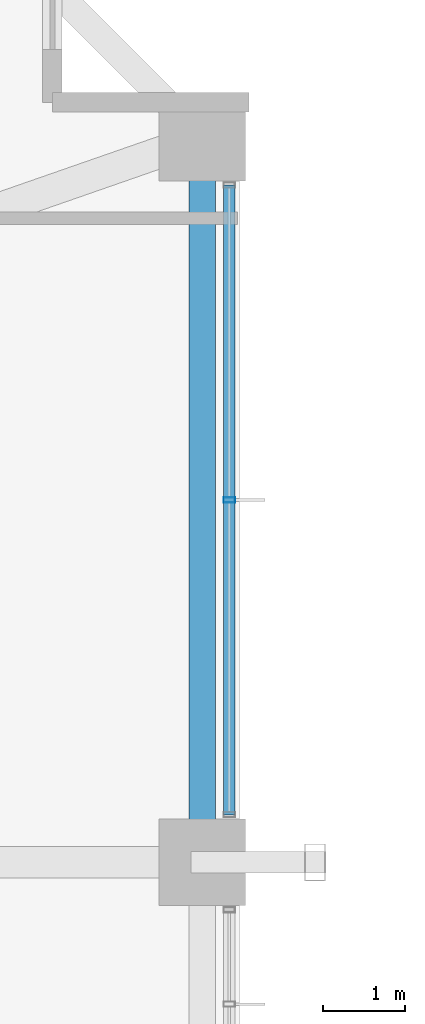
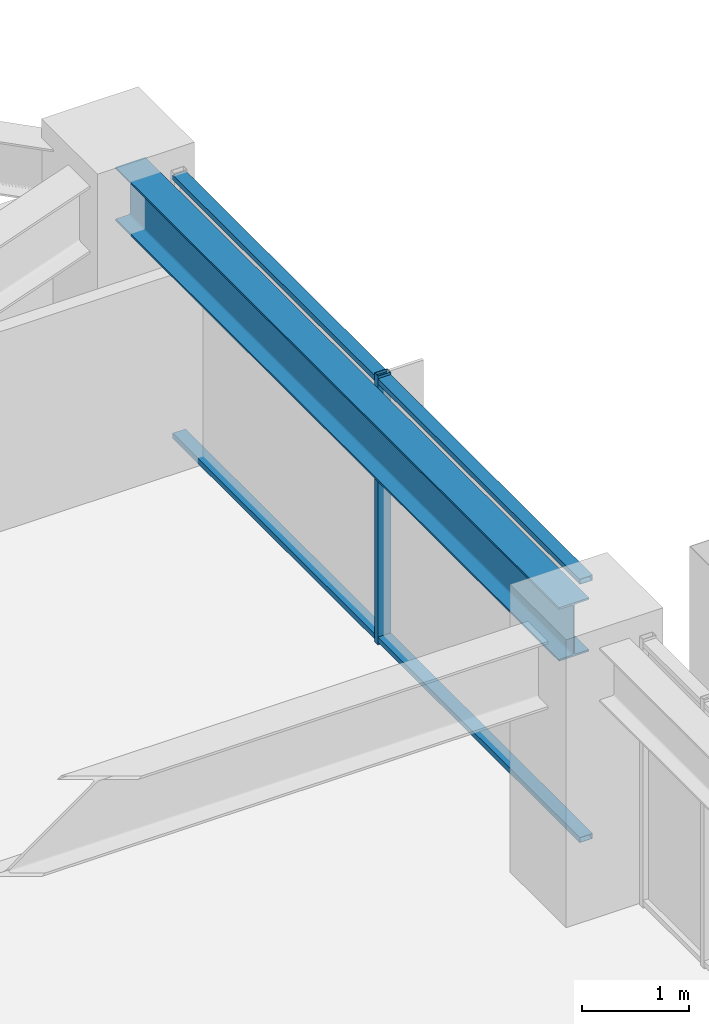
# One storey, part 17 of 37: 3 members, 1 beam, 1 element without a shape of its own.
"""IFC4 building model written with IfcOpenShell, lengths in metres."""

from ifc_helpers import new_model, si_unit, direction, frame, origin, origin_2d, place, context, subcontext, project, spatial, hollow_rectangle, i_section, extrude, material, material_profile, profile_set, type_object, element, aggregate, save


model = new_model("IFC4")

# Units and contexts
model_context = context("Model", 3, precision=1e-05, world=origin(), true_north=direction((0.0, 1.0)))
body_context = subcontext(model_context, "Body", "Model", "MODEL_VIEW")
ifc_project = project(units=[si_unit("LENGTHUNIT", "METRE"), si_unit("AREAUNIT", "SQUARE_METRE"), si_unit("VOLUMEUNIT", "CUBIC_METRE"), si_unit("PLANEANGLEUNIT", "RADIAN"), si_unit("MASSUNIT", "GRAM", prefix="KILO")], contexts=[model_context])

# Site, building, storey
site_placement = place(None, origin())
site = spatial("IfcSite", under=ifc_project, at=site_placement, CompositionType="ELEMENT")
building_placement = place(site_placement, origin())
building = spatial("IfcBuilding", under=site, at=building_placement, Name="Kolvaren Belvedere", CompositionType="ELEMENT")
storey_placement = place(building_placement, frame((0.0, 0.0, 82.10009765625)))
storey = spatial("IfcBuildingStorey", under=building, at=storey_placement, Name="L23", CompositionType="ELEMENT", Elevation=82.10009765625)

# Beam
ifc_material_1 = material(Name="Structural steel ASTM A992 Grade 50", Category="steel")
ifc_material_profile_1 = material_profile(ifc_material_1, i_section(OverallWidth=0.324951171875, OverallDepth=0.615966796875, WebThickness=0.013916015625, FlangeThickness=0.021484375, FilletRadius=0.02001953125, at=origin_2d()), Name="W24X117")
ifc_profile_set_1 = profile_set([ifc_material_profile_1], Name="Structural steel ASTM A992 Grade 50")
beam_type = type_object("IfcBeamType", Name="BM-SPAN-W24X117", PredefinedType="SPANDREL", material=ifc_profile_set_1)
beam_placement = place(storey_placement, frame((19.949951171875, 4.836181640625, 2.77197265625), z_axis=(0.0, 1.0, 0.0), x_axis=(-1.0, 0.0, 0.0)))
element("IfcBeam", 1, at=beam_placement, inside=storey, type_object=beam_type, Name="L23 Perimeter Spandrel E3-E4", PredefinedType="SPANDREL", context=body_context, shape_type="SweptSolid", body=[
    extrude(i_section(OverallWidth=0.324951171875, OverallDepth=0.615966796875, WebThickness=0.013916015625, FlangeThickness=0.021484375, FilletRadius=0.02001953125, at=origin_2d()), origin(), (0.0, 0.0, 1.0), 8.32763671875),
])

# Curtain wall, members
ifc_material_2 = material(Name="Anodised pale-metal aluminium AA 6063-T6", Category="aluminium")
curtain_wall_type = type_object("IfcCurtainWallType", Name="CW-Z2-MID", PredefinedType="NOTDEFINED", material=ifc_material_2)
curtain_wall_placement = place(storey_placement, origin())
curtain_wall = element("IfcCurtainWall", 2, at=curtain_wall_placement, inside=storey, type_object=curtain_wall_type, Name="L23 Unitised Curtain Wall FCW-L23-E1-B1", PredefinedType="NOTDEFINED")
ifc_material_3 = material(Name="Anodised pale-metal aluminium AA 6063-T6", Category="aluminium")
ifc_material_profile_2 = material_profile(ifc_material_3, hollow_rectangle(XDim=0.06494140625, YDim=0.139892578125, WallThickness=0.00390625, at=origin_2d()), Name="ALU-MUL-140X65")
ifc_profile_set_2 = profile_set([ifc_material_profile_2], Name="Anodised pale-metal aluminium AA 6063-T6")
member_type_1 = type_object("IfcMemberType", Name="CW-MUL-140", PredefinedType="MULLION", material=ifc_profile_set_2)
member_1_placement = place(storey_placement, frame((20.280029296875, 9.0, 0.0), z_axis=(0.0, 0.0, 1.0), x_axis=(0.0, 1.0, 0.0)))
member_1 = element("IfcMember", 3, at=member_1_placement, type_object=member_type_1, Name="FCW-L23-E1-B1 Unitised Mullion 2", PredefinedType="MULLION", context=body_context, shape_type="SweptSolid", body=[
    extrude(hollow_rectangle(XDim=0.06494140625, YDim=0.139892578125, WallThickness=0.00390625, at=origin_2d()), origin(), (0.0, 0.0, 1.0), 3.079833984375),
])
ifc_material_4 = material(Name="Anodised pale-metal aluminium AA 6063-T6", Category="aluminium")
ifc_material_profile_3 = material_profile(ifc_material_4, hollow_rectangle(XDim=0.06005859375, YDim=0.139892578125, WallThickness=0.00390625, at=origin_2d()), Name="ALU-TRN-140X60")
ifc_profile_set_3 = profile_set([ifc_material_profile_3], Name="Anodised pale-metal aluminium AA 6063-T6")
member_type_2 = type_object("IfcMemberType", Name="CW-TRN-140", PredefinedType="USERDEFINED", material=ifc_profile_set_3)
member_2_placement = place(storey_placement, frame((20.280029296875, 12.822509765625, 0.059814453125), z_axis=(0.0, -1.0, 0.0), x_axis=(0.0, 0.0, 1.0)))
member_2 = element("IfcMember", 4, at=member_2_placement, type_object=member_type_2, Name="FCW-L23-E1-B1 Sill Transom", ObjectType="TRANSOM", PredefinedType="USERDEFINED", context=body_context, shape_type="SweptSolid", body=[
    extrude(hollow_rectangle(XDim=0.06005859375, YDim=0.139892578125, WallThickness=0.00390625, at=origin_2d()), origin(), (0.0, 0.0, 1.0), 7.64501953125),
])
member_3_placement = place(storey_placement, frame((20.280029296875, 12.822509765625, 3.02001953125), z_axis=(0.0, -1.0, 0.0), x_axis=(0.0, 0.0, 1.0)))
member_3 = element("IfcMember", 5, at=member_3_placement, type_object=member_type_2, Name="FCW-L23-E1-B1 Head Transom", ObjectType="TRANSOM", PredefinedType="USERDEFINED", context=body_context, shape_type="SweptSolid", body=[
    extrude(hollow_rectangle(XDim=0.06005859375, YDim=0.139892578125, WallThickness=0.00390625, at=origin_2d()), origin(), (0.0, 0.0, 1.0), 7.64501953125),
])
aggregate(curtain_wall, [member_1, member_2, member_3])

save(model, "model.ifc")
